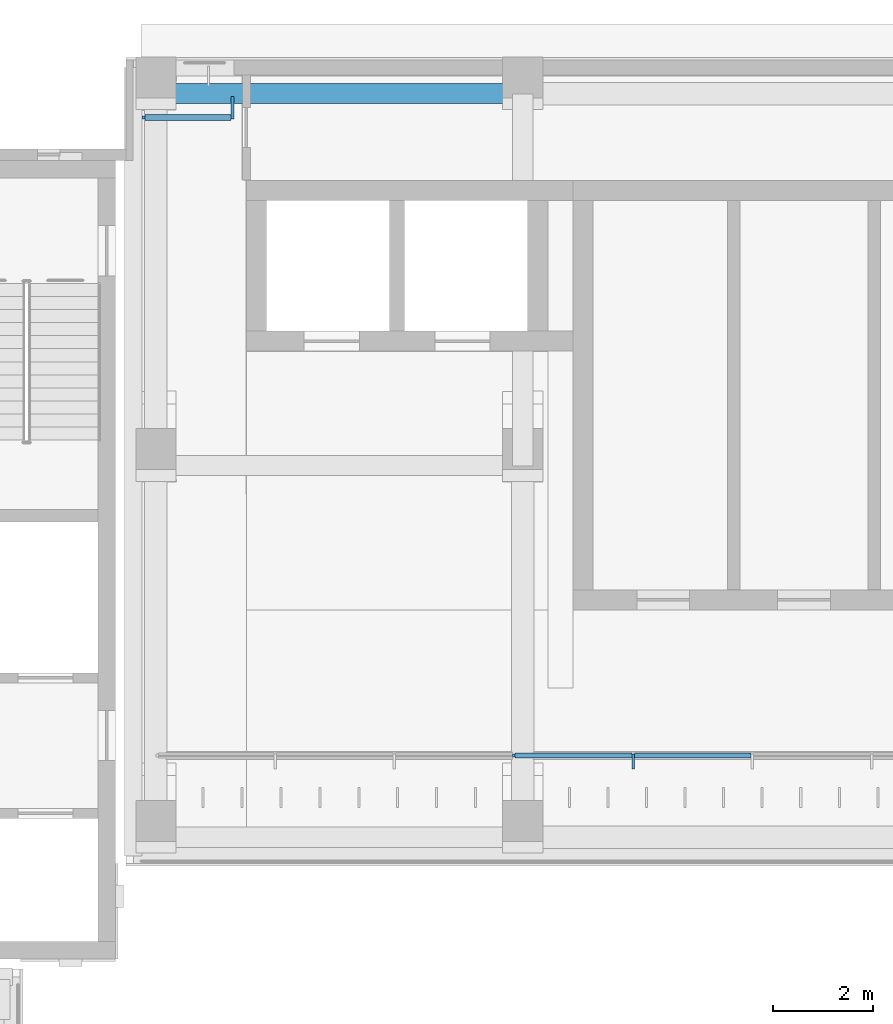
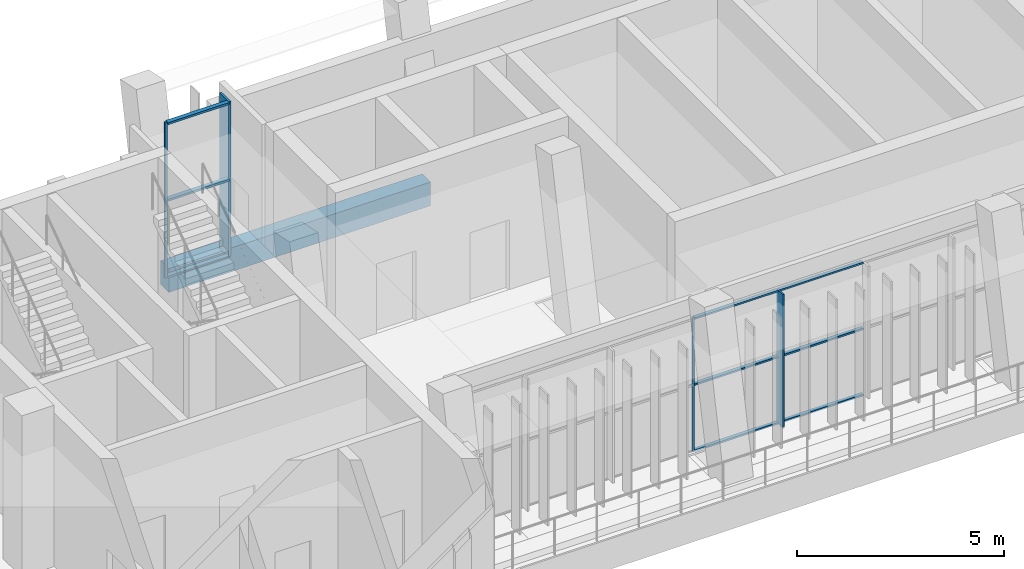
# One storey, part 71 of 141: 13 members, 1 beam, 2 elements without a shape of their own.
"""IFC4 building model written with IfcOpenShell, lengths in metres."""

from ifc_helpers import new_model, si_unit, direction, frame, origin, origin_2d, place, context, subcontext, project, spatial, rectangle, extrude, material, material_profile, profile_set, type_object, element, aggregate, save


model = new_model("IFC4")

# Units and contexts
model_context = context("Model", 3, precision=1e-05, world=origin(), true_north=direction((0.0, 1.0)))
body_context = subcontext(model_context, "Body", "Model", "MODEL_VIEW")
ifc_project = project(units=[si_unit("LENGTHUNIT", "METRE"), si_unit("AREAUNIT", "SQUARE_METRE"), si_unit("VOLUMEUNIT", "CUBIC_METRE"), si_unit("PLANEANGLEUNIT", "RADIAN"), si_unit("MASSUNIT", "GRAM", prefix="KILO")], contexts=[model_context])

# Site, building, storey
site_placement = place(None, origin())
site = spatial("IfcSite", under=ifc_project, at=site_placement, CompositionType="ELEMENT")
building_placement = place(site_placement, origin())
building = spatial("IfcBuilding", under=site, at=building_placement, Name="Lantern Court Media Centre", CompositionType="ELEMENT")
storey_placement = place(building_placement, frame((0.0, 0.0, 9.60009765625)))
storey = spatial("IfcBuildingStorey", under=building, at=storey_placement, Name="L02", CompositionType="ELEMENT", Elevation=9.60009765625)

# Curtain wall, members
ifc_material_1 = material(Name="Curtain wall bay 2400")
curtain_wall_type_1 = type_object("IfcCurtainWallType", Name="Curtain wall bay 2400", PredefinedType="NOTDEFINED", material=ifc_material_1)
curtain_wall_1_placement = place(storey_placement, origin())
curtain_wall_1 = element("IfcCurtainWall", 1, at=curtain_wall_1_placement, inside=storey, type_object=curtain_wall_type_1, Name="Curtain wall N inner L02", PredefinedType="NOTDEFINED")
ifc_material_2 = material(Name="Anodised aluminium", Category="aluminium")
ifc_material_profile_1 = material_profile(ifc_material_2, rectangle(XDim=0.300048828125, YDim=0.050048828125, at=origin_2d()), Name="AL 50x300")
ifc_profile_set_1 = profile_set([ifc_material_profile_1], Name="Anodised aluminium")
member_type_1 = type_object("IfcMemberType", Name="Curtain wall mullion 50x300", PredefinedType="MULLION", material=ifc_profile_set_1)
member_1_placement = place(storey_placement, frame((34.195556640625, 100.030029296875, 0.0), z_axis=(0.0, 0.0, 1.0), x_axis=(0.0, 1.0, 0.0)))
member_1 = element("IfcMember", 2, at=member_1_placement, type_object=member_type_1, Name="CW2 mullion 5", PredefinedType="MULLION", context=body_context, shape_type="SweptSolid", body=[
    extrude(rectangle(XDim=0.300048828125, YDim=0.050048828125, at=origin_2d()), origin(), (0.0, 0.0, 1.0), 3.949951171875),
])
ifc_material_profile_2 = material_profile(ifc_material_2, rectangle(XDim=0.06005859375, YDim=0.050048828125, at=origin_2d()), Name="AL 50x60")
ifc_profile_set_2 = profile_set([ifc_material_profile_2], Name="Anodised aluminium")
member_type_2 = type_object("IfcMemberType", Name="Curtain wall mullion 50x60", PredefinedType="MULLION", material=ifc_profile_set_2)
member_2_placement = place(storey_placement, frame((31.82177734375, 100.14990234375, 0.0), z_axis=(0.0, 0.0, 1.0), x_axis=(0.0, 1.0, 0.0)))
member_2 = element("IfcMember", 3, at=member_2_placement, type_object=member_type_2, Name="CW2 mullion 4", PredefinedType="MULLION", context=body_context, shape_type="SweptSolid", body=[
    extrude(rectangle(XDim=0.06005859375, YDim=0.050048828125, at=origin_2d()), origin(), (0.0, 0.0, 1.0), 3.949951171875),
])

ifc_material_3 = material(Name="Curtain wall bay 3000")
curtain_wall_type_2 = type_object("IfcCurtainWallType", Name="Curtain wall bay 3000", PredefinedType="NOTDEFINED", material=ifc_material_3)
curtain_wall_2_placement = place(storey_placement, origin())
curtain_wall_2 = element("IfcCurtainWall", 4, at=curtain_wall_2_placement, inside=storey, type_object=curtain_wall_type_2, Name="Curtain wall N outer L02", PredefinedType="NOTDEFINED")
ifc_material_profile_3 = material_profile(ifc_material_2, rectangle(XDim=0.449951171875, YDim=0.06005859375, at=origin_2d()), Name="AL 60x450")
ifc_profile_set_3 = profile_set([ifc_material_profile_3], Name="Anodised aluminium")
member_type_3 = type_object("IfcMemberType", Name="Curtain wall mullion 60x450", PredefinedType="MULLION", material=ifc_profile_set_3)
member_3_placement = place(storey_placement, frame((26.219970703125, 113.044921875, 0.0), z_axis=(0.0, 0.0, 1.0), x_axis=(0.0, 1.0, 0.0)))
member_3 = element("IfcMember", 5, at=member_3_placement, type_object=member_type_3, Name="CW1 mullion 2", PredefinedType="MULLION", context=body_context, shape_type="SweptSolid", body=[
    extrude(rectangle(XDim=0.449951171875, YDim=0.06005859375, at=origin_2d()), origin(), (0.0, 0.0, 1.0), 4.579833984375),
])
ifc_material_profile_4 = material_profile(ifc_material_2, rectangle(XDim=0.06005859375, YDim=0.06005859375, at=origin_2d()), Name="AL 60x60")
ifc_profile_set_4 = profile_set([ifc_material_profile_4], Name="Anodised aluminium")
member_type_4 = type_object("IfcMemberType", Name="Curtain wall mullion 60x60", PredefinedType="MULLION", material=ifc_profile_set_4)
member_4_placement = place(storey_placement, frame((24.449951171875, 112.85009765625, 0.0), z_axis=(0.0, 0.0, 1.0), x_axis=(0.0, 1.0, 0.0)))
member_4 = element("IfcMember", 6, at=member_4_placement, type_object=member_type_4, Name="CW1 mullion 1", PredefinedType="MULLION", context=body_context, shape_type="SweptSolid", body=[
    extrude(rectangle(XDim=0.06005859375, YDim=0.06005859375, at=origin_2d()), origin(), (0.0, 0.0, 1.0), 4.579833984375),
])

# Member
ifc_material_profile_5 = material_profile(ifc_material_2, rectangle(XDim=0.10009765625, YDim=0.050048828125, at=origin_2d()), Name="AL 50x100")
ifc_profile_set_5 = profile_set([ifc_material_profile_5], Name="Anodised aluminium")
member_type_5 = type_object("IfcMemberType", Name="Curtain wall transom 100x50", PredefinedType="USERDEFINED", material=ifc_profile_set_5)
member_5_placement = place(storey_placement, frame((31.8466796875, 100.14990234375, 0.02490234375), z_axis=(1.0, 0.0, 0.0), x_axis=(0.0, 1.0, 0.0)))
member_5 = element("IfcMember", 7, at=member_5_placement, type_object=member_type_5, Name="CW2 transom 4.1", ObjectType="TRANSOM", PredefinedType="USERDEFINED", context=body_context, shape_type="SweptSolid", body=[
    extrude(rectangle(XDim=0.10009765625, YDim=0.050048828125, at=origin_2d()), origin(), (0.0, 0.0, 1.0), 2.323974609375),
])

member_6_placement = place(storey_placement, frame((31.8466796875, 100.14990234375, 1.974853515625), z_axis=(1.0, 0.0, 0.0), x_axis=(0.0, 1.0, 0.0)))
member_6 = element("IfcMember", 8, at=member_6_placement, type_object=member_type_5, Name="CW2 transom 4.2", ObjectType="TRANSOM", PredefinedType="USERDEFINED", context=body_context, shape_type="SweptSolid", body=[
    extrude(rectangle(XDim=0.10009765625, YDim=0.050048828125, at=origin_2d()), origin(), (0.0, 0.0, 1.0), 2.323974609375),
])

member_7_placement = place(storey_placement, frame((31.8466796875, 100.14990234375, 3.9248046875), z_axis=(1.0, 0.0, 0.0), x_axis=(0.0, 1.0, 0.0)))
member_7 = element("IfcMember", 9, at=member_7_placement, type_object=member_type_5, Name="CW2 transom 4.3", ObjectType="TRANSOM", PredefinedType="USERDEFINED", context=body_context, shape_type="SweptSolid", body=[
    extrude(rectangle(XDim=0.10009765625, YDim=0.050048828125, at=origin_2d()), origin(), (0.0, 0.0, 1.0), 2.323974609375),
])

member_8_placement = place(storey_placement, frame((34.220703125, 100.14990234375, 0.02490234375), z_axis=(1.0, 0.0, 0.0), x_axis=(0.0, 1.0, 0.0)))
member_8 = element("IfcMember", 10, at=member_8_placement, type_object=member_type_5, Name="CW2 transom 5.1", ObjectType="TRANSOM", PredefinedType="USERDEFINED", context=body_context, shape_type="SweptSolid", body=[
    extrude(rectangle(XDim=0.10009765625, YDim=0.050048828125, at=origin_2d()), origin(), (0.0, 0.0, 1.0), 2.323974609375),
])

member_9_placement = place(storey_placement, frame((34.220703125, 100.14990234375, 1.974853515625), z_axis=(1.0, 0.0, 0.0), x_axis=(0.0, 1.0, 0.0)))
member_9 = element("IfcMember", 11, at=member_9_placement, type_object=member_type_5, Name="CW2 transom 5.2", ObjectType="TRANSOM", PredefinedType="USERDEFINED", context=body_context, shape_type="SweptSolid", body=[
    extrude(rectangle(XDim=0.10009765625, YDim=0.050048828125, at=origin_2d()), origin(), (0.0, 0.0, 1.0), 2.323974609375),
])

member_10_placement = place(storey_placement, frame((34.220703125, 100.14990234375, 3.9248046875), z_axis=(1.0, 0.0, 0.0), x_axis=(0.0, 1.0, 0.0)))
member_10 = element("IfcMember", 12, at=member_10_placement, type_object=member_type_5, Name="CW2 transom 5.3", ObjectType="TRANSOM", PredefinedType="USERDEFINED", context=body_context, shape_type="SweptSolid", body=[
    extrude(rectangle(XDim=0.10009765625, YDim=0.050048828125, at=origin_2d()), origin(), (0.0, 0.0, 1.0), 2.323974609375),
])

aggregate(curtain_wall_1, [member_2, member_1, member_5, member_6, member_7, member_8, member_9, member_10])

ifc_material_profile_6 = material_profile(ifc_material_2, rectangle(XDim=0.1201171875, YDim=0.06005859375, at=origin_2d()), Name="AL 60x120")
ifc_profile_set_6 = profile_set([ifc_material_profile_6], Name="Anodised aluminium")
member_type_6 = type_object("IfcMemberType", Name="Curtain wall transom 60x120", PredefinedType="USERDEFINED", material=ifc_profile_set_6)
member_11_placement = place(storey_placement, frame((24.47998046875, 112.85009765625, 0.02978515625), z_axis=(1.0, 0.0, 0.0), x_axis=(0.0, 1.0, 0.0)))
member_11 = element("IfcMember", 13, at=member_11_placement, type_object=member_type_6, Name="CW1 transom 1.1", ObjectType="TRANSOM", PredefinedType="USERDEFINED", context=body_context, shape_type="SweptSolid", body=[
    extrude(rectangle(XDim=0.1201171875, YDim=0.06005859375, at=origin_2d()), origin(), (0.0, 0.0, 1.0), 1.7099609375),
])

member_12_placement = place(storey_placement, frame((24.47998046875, 112.85009765625, 2.289794921875), z_axis=(1.0, 0.0, 0.0), x_axis=(0.0, 1.0, 0.0)))
member_12 = element("IfcMember", 14, at=member_12_placement, type_object=member_type_6, Name="CW1 transom 1.2", ObjectType="TRANSOM", PredefinedType="USERDEFINED", context=body_context, shape_type="SweptSolid", body=[
    extrude(rectangle(XDim=0.1201171875, YDim=0.06005859375, at=origin_2d()), origin(), (0.0, 0.0, 1.0), 1.7099609375),
])

member_13_placement = place(storey_placement, frame((24.47998046875, 112.85009765625, 4.5498046875), z_axis=(1.0, 0.0, 0.0), x_axis=(0.0, 1.0, 0.0)))
member_13 = element("IfcMember", 15, at=member_13_placement, type_object=member_type_6, Name="CW1 transom 1.3", ObjectType="TRANSOM", PredefinedType="USERDEFINED", context=body_context, shape_type="SweptSolid", body=[
    extrude(rectangle(XDim=0.1201171875, YDim=0.06005859375, at=origin_2d()), origin(), (0.0, 0.0, 1.0), 1.7099609375),
])

aggregate(curtain_wall_2, [member_4, member_3, member_11, member_12, member_13])

# Beam
ifc_material_4 = material(Name="Concrete C35", Category="concrete")
ifc_material_profile_7 = material_profile(ifc_material_4, rectangle(XDim=0.39990234375, YDim=0.699951171875, at=origin_2d()), Name="RC 400x700")
ifc_profile_set_7 = profile_set([ifc_material_profile_7], Name="Concrete C35")
beam_type = type_object("IfcBeamType", Name="RC BEAM 400x700", PredefinedType="BEAM", material=ifc_profile_set_7)
beam_placement = place(storey_placement, frame((24.699951171875, 113.3271484375, -0.35009765625), z_axis=(1.0, 0.0, 0.0), x_axis=(0.0, 1.0, 0.0)))
element("IfcBeam", 16, at=beam_placement, inside=storey, type_object=beam_type, Name="LB-N-L02-2-0", PredefinedType="BEAM", context=body_context, shape_type="SweptSolid", body=[
    extrude(rectangle(XDim=0.39990234375, YDim=0.699951171875, at=origin_2d()), origin(), (0.0, 0.0, 1.0), 7.300048828125),
])

save(model, "model.ifc")
